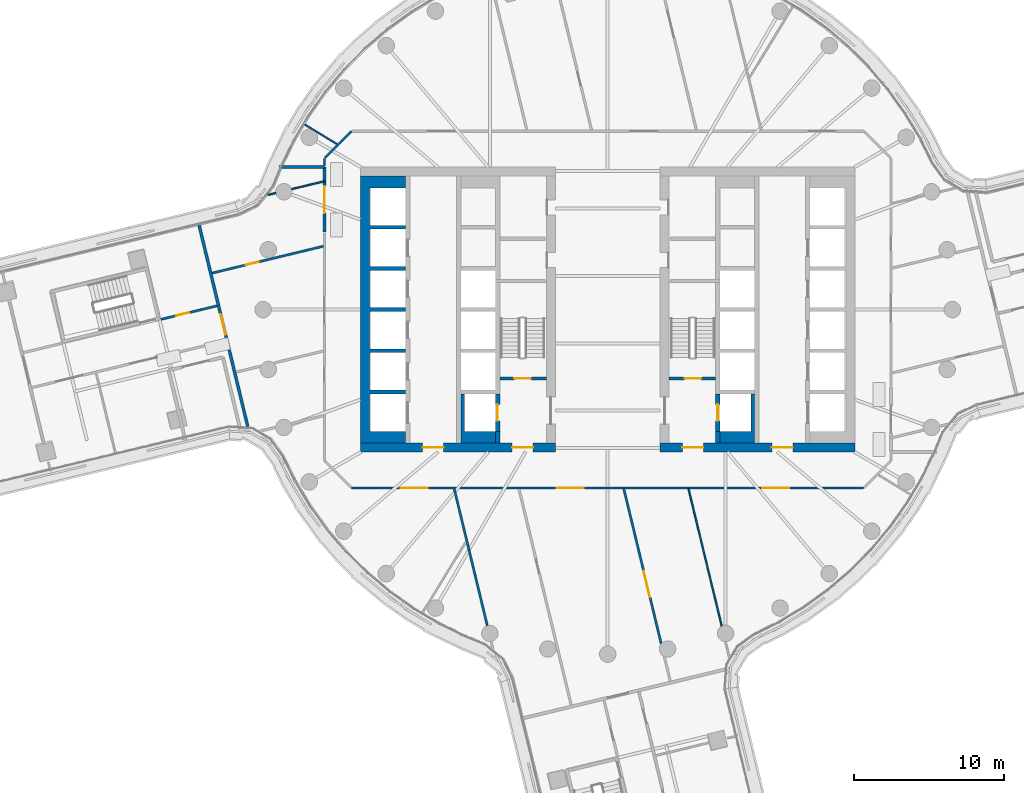
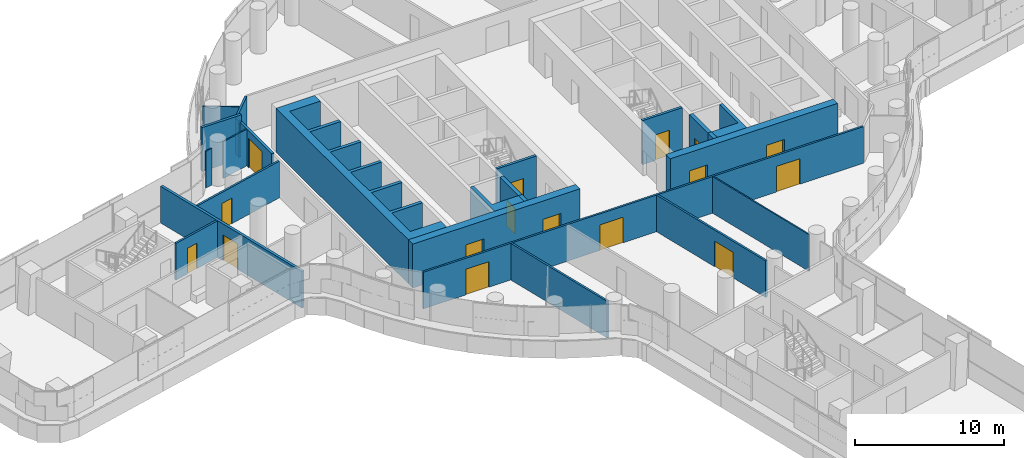
# One storey, part 20 of 33: 25 walls, 16 doors, 16 openings.
"""IFC4 building model written with IfcOpenShell, lengths in metres."""

import ifcopenshell
import ifcopenshell.guid

model = None  # the IFC model being written
_history = None  # IfcOwnerHistory: only IFC2X3 demands one
_inside = {}  # id of a spatial element -> (the spatial element, [elements in it])
_under = {}  # id of a project, library or spatial element -> (it, [spatial elements below it])
_declared = {}  # id of a project -> (the project, [libraries it declares])
_typed = {}  # id of a type object -> (the type object, [elements of that type])
_made_of = {}  # id of a material, layer set ... -> (it, [elements and type objects made of it])


def new_model(schema):
    """Start an empty IFC model of exactly this schema.

    Asked for "IFC4X3", IfcOpenShell would pick the latest addendum, in which some entities
    have other attributes; the version numbers below select the first issue.
    IFC2X3 requires an IfcOwnerHistory on every rooted entity: one is made here for all.
    """
    global model, _history
    if schema == "IFC4X3":
        model = ifcopenshell.file(schema_version=(4, 3, 0, 0))
    else:
        model = ifcopenshell.file(schema=schema)
    _inside.clear()
    _under.clear()
    _declared.clear()
    _typed.clear()
    _made_of.clear()
    _history = None
    if model.schema == "IFC2X3":
        org = make("IfcOrganization", Name="unknown")
        user = make(
            "IfcPersonAndOrganization",
            ThePerson=make("IfcPerson", FamilyName="unknown"),
            TheOrganization=org,
        )
        app = make(
            "IfcApplication",
            ApplicationDeveloper=org,
            Version="unknown",
            ApplicationFullName="unknown",
            ApplicationIdentifier="unknown",
        )
        _history = make(
            "IfcOwnerHistory",
            OwningUser=user,
            OwningApplication=app,
            ChangeAction="ADDED",
            CreationDate=0,
        )
    return model


def make(cls, **values):
    """One entity of the class cls with the attributes given. An attribute that is None is left unset."""
    return model.create_entity(
        cls, **{name: value for name, value in values.items() if value is not None}
    )


def rooted(cls, **values):
    """An entity with a GlobalId (a new one), such as an element, a storey or a relation."""
    return make(cls, GlobalId=ifcopenshell.guid.new(), OwnerHistory=_history, **values)


def si_unit(unit_type, name, prefix=None):
    """IfcSIUnit, for example si_unit("LENGTHUNIT", "METRE", prefix="MILLI")."""
    return make("IfcSIUnit", UnitType=unit_type, Prefix=prefix, Name=name)


def assignment(units):
    """IfcUnitAssignment: the units of a project."""
    return None if units is None else make("IfcUnitAssignment", Units=units)


def point(xyz):
    """IfcCartesianPoint."""
    return None if xyz is None else make("IfcCartesianPoint", Coordinates=xyz)


def direction(xyz):
    """IfcDirection."""
    return None if xyz is None else make("IfcDirection", DirectionRatios=xyz)


def frame(location, z_axis=None, x_axis=None):
    """IfcAxis2Placement3D, a coordinate frame: its origin and axes. An axis left out is left unset."""
    return make(
        "IfcAxis2Placement3D",
        Location=point(location),
        Axis=direction(z_axis),
        RefDirection=direction(x_axis),
    )


def frame_2d(location, x_axis=None):
    """IfcAxis2Placement2D, a coordinate frame in the plane: its origin and x axis."""
    return make(
        "IfcAxis2Placement2D", Location=point(location), RefDirection=direction(x_axis)
    )


def origin():
    """The frame at (0, 0, 0) with its axes left unset."""
    return frame((0.0, 0.0, 0.0))


def place(relative_to, where):
    """IfcLocalPlacement: puts the frame where relative to a parent placement (None: the world)."""
    return make(
        "IfcLocalPlacement", PlacementRelTo=relative_to, RelativePlacement=where
    )


def context(
    kind, dimensions, precision=None, world=None, true_north=None, identifier=None
):
    """IfcGeometricRepresentationContext, for example the 3D "Model" context."""
    return make(
        "IfcGeometricRepresentationContext",
        ContextIdentifier=identifier,
        ContextType=kind,
        CoordinateSpaceDimension=dimensions,
        Precision=precision,
        WorldCoordinateSystem=world,
        TrueNorth=true_north,
    )


def subcontext(parent, identifier, kind, view, scale=None):
    """IfcGeometricRepresentationSubContext, for example "Body" below "Model"."""
    return make(
        "IfcGeometricRepresentationSubContext",
        ContextIdentifier=identifier,
        ContextType=kind,
        ParentContext=parent,
        TargetScale=scale,
        TargetView=view,
    )


def project(units=None, contexts=None):
    """IfcProject with its units and contexts."""
    return rooted(
        "IfcProject",
        Name="project",
        RepresentationContexts=contexts,
        UnitsInContext=assignment(units),
    )


def spatial(cls, under=None, at=None, **own):
    """A site, building, storey or space (cls), placed at a placement, below another one or the project."""
    s = rooted(cls, ObjectPlacement=at, **own)
    if under is not None:
        _under.setdefault(under.id(), (under, []))[1].append(s)
    return s


def polyline(points):
    """IfcPolyline through the points."""
    return make("IfcPolyline", Points=[point(p) for p in points])


def profile(cls, at=None, kind="AREA", **sizes):
    """A parametric profile (cls). Its sizes go by their IFC names, for example OverallWidth=200.0."""
    return make(cls, ProfileType=kind, Position=at, **sizes)


def rectangle(**sizes):
    """IfcRectangleProfileDef."""
    return profile("IfcRectangleProfileDef", **sizes)


def outline(outer, holes=None, kind="AREA"):
    """IfcArbitraryClosedProfileDef: a profile drawn as a closed curve; with holes, ...WithVoids."""
    if holes is None:
        return make("IfcArbitraryClosedProfileDef", ProfileType=kind, OuterCurve=outer)
    return make(
        "IfcArbitraryProfileDefWithVoids",
        ProfileType=kind,
        OuterCurve=outer,
        InnerCurves=holes,
    )


def extrude(swept, where, along, depth):
    """IfcExtrudedAreaSolid: the profile swept, set in the frame where, extruded along a direction by depth."""
    return make(
        "IfcExtrudedAreaSolid",
        SweptArea=swept,
        Position=where,
        ExtrudedDirection=direction(along),
        Depth=depth,
    )


def shape(context_of_items, identifier, shape_type, items):
    """IfcShapeRepresentation: the items that make up one representation, for example the "Body"."""
    return make(
        "IfcShapeRepresentation",
        ContextOfItems=context_of_items,
        RepresentationIdentifier=identifier,
        RepresentationType=shape_type,
        Items=items,
    )


def material(Name=None, Category=None):
    """IfcMaterial."""
    return make("IfcMaterial", Name=Name, Category=Category)


def layer(
    of_material, thickness, ventilated=None, Name=None, Category=None, Priority=None
):
    """IfcMaterialLayer: one layer of a wall or slab, of a material (None: an air gap)."""
    return make(
        "IfcMaterialLayer",
        Material=of_material,
        LayerThickness=thickness,
        IsVentilated=ventilated,
        Name=Name,
        Category=Category,
        Priority=Priority,
    )


def layer_set(layers, Name=None):
    """IfcMaterialLayerSet."""
    return make("IfcMaterialLayerSet", MaterialLayers=layers, LayerSetName=Name)


def made_of(thing, what):
    """Note that an element or type object is made of a material, layer set ...; save() writes the relation."""
    if what is not None:
        _made_of.setdefault(what.id(), (what, []))[1].append(thing)
    return thing


def type_object(cls, material=None, **own):
    """A type object (cls), such as IfcWallType, which elements share."""
    return made_of(rooted(cls, **own), material)


def element(
    cls,
    number,
    at=None,
    inside=None,
    cuts=None,
    type_object=None,
    material=None,
    context=None,
    identifier="Body",
    shape_type=None,
    held_by="IfcProductDefinitionShape",
    body=None,
    shapes=None,
    **own,
):
    """One element of the class cls, such as IfcWall. Its Tag is "e" and its number.

    at: its placement. inside: the storey or other place that contains it. cuts: it is an
    opening in that element (IfcRelVoidsElement). A single representation is given by context,
    identifier, shape_type and body (its items); several are given by shapes. held_by: the class
    of the entity that holds the representations. save() writes the other relations.
    """
    e = rooted(cls, Tag="e%d" % number, ObjectPlacement=at, **own)
    if body is not None:
        shapes = [shape(context, identifier, shape_type, body)]
    if shapes is not None:
        e.Representation = make(held_by, Representations=shapes)
    if inside is not None:
        _inside.setdefault(inside.id(), (inside, []))[1].append(e)
    if cuts is not None:
        rooted(
            "IfcRelVoidsElement", RelatingBuildingElement=cuts, RelatedOpeningElement=e
        )
    if type_object is not None:
        _typed.setdefault(type_object.id(), (type_object, []))[1].append(e)
    return made_of(e, material)


def fill(opening, filler):
    """IfcRelFillsElement: the door or window that sits in an opening."""
    return rooted(
        "IfcRelFillsElement",
        RelatingOpeningElement=opening,
        RelatedBuildingElement=filler,
    )


def aggregate(whole, parts):
    """IfcRelAggregates: a whole, such as a stair, and the parts it consists of."""
    return rooted("IfcRelAggregates", RelatingObject=whole, RelatedObjects=parts)


def save(model, path):
    """Write the relations noted so far, then the file.

    IfcRelAggregates (storeys below a building ...), IfcRelContainedInSpatialStructure (elements
    in a storey), IfcRelDefinesByType, IfcRelAssociatesMaterial and IfcRelDeclares: one each for
    every whole, place, type object, material and project.
    """
    for whole, parts in _under.values():
        aggregate(whole, parts)
    for where, things in _inside.values():
        rooted(
            "IfcRelContainedInSpatialStructure",
            RelatedElements=things,
            RelatingStructure=where,
        )
    for kind, things in _typed.values():
        rooted("IfcRelDefinesByType", RelatedObjects=things, RelatingType=kind)
    for what, things in _made_of.values():
        rooted("IfcRelAssociatesMaterial", RelatedObjects=things, RelatingMaterial=what)
    for by, libraries in _declared.values():
        rooted("IfcRelDeclares", RelatingContext=by, RelatedDefinitions=libraries)
    model.write(path)


model = new_model("IFC4")

# Units and contexts
model_context = context("Model", 3, precision=1e-05, world=origin(), true_north=direction((0.0, 1.0)))
body_context = subcontext(model_context, "Body", "Model", "MODEL_VIEW")
ifc_project = project(units=[si_unit("LENGTHUNIT", "METRE"), si_unit("AREAUNIT", "SQUARE_METRE"), si_unit("VOLUMEUNIT", "CUBIC_METRE"), si_unit("PLANEANGLEUNIT", "RADIAN"), si_unit("MASSUNIT", "GRAM", prefix="KILO")], contexts=[model_context])

# Site, building, storey
site_placement = place(None, origin())
site = spatial("IfcSite", under=ifc_project, at=site_placement, CompositionType="ELEMENT")
building_placement = place(site_placement, origin())
building = spatial("IfcBuilding", under=site, at=building_placement, Name="Tamarind Cross Interchange Tower", CompositionType="ELEMENT")
storey_placement = place(building_placement, frame((0.0, 0.0, 83.5)))
storey = spatial("IfcBuildingStorey", under=building, at=storey_placement, Name="L19", CompositionType="ELEMENT", Elevation=83.5)

# Wall, opening, door
ifc_material_1 = material(Name="Concrete C40", Category="concrete")
ifc_layer_1 = layer(ifc_material_1, 0.199951171875)
ifc_layer_set_1 = layer_set([ifc_layer_1], Name="Concrete C40")
wall_type_1 = type_object("IfcWallType", Name="Balcony and garden door wall", PredefinedType="SOLIDWALL", material=ifc_layer_set_1)
wall_1_placement = place(storey_placement, frame((-18.89990234375, 9.5, 0.0), z_axis=(0.0, 0.0, 1.0), x_axis=(0.0, -1.0, 0.0)))
wall_1 = element("IfcWall", 1, at=wall_1_placement, inside=storey, type_object=wall_type_1, Name="EXW-L19-WG-L19-NW", PredefinedType="SOLIDWALL", context=body_context, shape_type="SweptSolid", body=[
    extrude(rectangle(XDim=4.333984375, YDim=0.199951171875, at=frame_2d((2.1669921875, 0.0))), origin(), (0.0, 0.0, 1.0), 3.013916015625),
])
opening_1_placement = place(wall_1_placement, frame((1.26708984375, 0.0, 0.0)))
opening_1 = element("IfcOpeningElement", 2, at=opening_1_placement, cuts=wall_1, Name="Opening D6", PredefinedType="OPENING", context=body_context, shape_type="SweptSolid", body=[
    extrude(rectangle(XDim=1.800048828125, YDim=2.39990234375, at=frame_2d((0.89990234375, 1.199951171875))), frame((0.0, 0.10986328125, 0.0), z_axis=(0.0, -1.0, 0.0), x_axis=(1.0, 0.0, 0.0)), (0.0, 0.0, 1.0), 0.219970703125),
])
ifc_material_2 = material(Name="Aluminium and toughened glass, fire-resisting", Category="aluminium")
door_type_1 = type_object("IfcDoorType", Name="Roof garden door, fire-resisting", OperationType="DOUBLE_DOOR_SINGLE_SWING", PredefinedType="DOOR", material=ifc_material_2)
door_1_placement = place(opening_1_placement, origin())
door_1 = element("IfcDoor", 3, at=door_1_placement, inside=storey, type_object=door_type_1, Name="DOR-L19-WG-L19-NW", OperationType="SINGLE_SWING_LEFT", OverallHeight=2.39990234375, OverallWidth=1.800048828125, PredefinedType="DOOR", context=body_context, shape_type="SweptSolid", body=[
    extrude(rectangle(XDim=1.800048828125, YDim=2.39990234375, at=frame_2d((0.89990234375, 1.199951171875))), frame((0.0, 0.02490234375, 0.0), z_axis=(0.0, -1.0, 0.0), x_axis=(1.0, 0.0, 0.0)), (0.0, 0.0, 1.0), 0.050048828125),
])
fill(opening_1, door_1)

# Wall
wall_2_placement = place(storey_placement, frame((-18.89990234375, 9.5, 0.0), z_axis=(0.0, 0.0, 1.0), x_axis=(-1.0, 0.0, 0.0)))
element("IfcWall", 4, at=wall_2_placement, inside=storey, type_object=wall_type_1, Name="EXW-L19-WG-L19-NW-R0", PredefinedType="SOLIDWALL", context=body_context, shape_type="SweptSolid", body=[
    extrude(rectangle(XDim=3.03466796875, YDim=0.199951171875, at=frame_2d((1.517333984375, 0.0))), origin(), (0.0, 0.0, 1.0), 3.610107421875),
])

# Wall, openings, doors
ifc_material_3 = material(Name="Concrete C70", Category="concrete")
ifc_layer_2 = layer(ifc_material_3, 0.60009765625)
ifc_layer_set_2 = layer_set([ifc_layer_2], Name="Concrete C70")
wall_type_2 = type_object("IfcWallType", Name="Core wall 600 mm Concrete C70", PredefinedType="SHEAR", material=ifc_layer_set_2)
wall_3_placement = place(storey_placement, frame((-16.5, -9.199951171875, 0.0), z_axis=(0.0, 0.0, 1.0), x_axis=(1.0, 0.0, 0.0)))
wall_3 = element("IfcWall", 5, at=wall_3_placement, inside=storey, type_object=wall_type_2, Name="Core wall CWL-L19-W-S", PredefinedType="SHEAR", context=body_context, shape_type="SweptSolid", body=[
    extrude(rectangle(XDim=13.0, YDim=0.60009765625, at=frame_2d((6.5, 0.0))), origin(), (0.0, 0.0, 1.0), 3.610107421875),
])
opening_2_placement = place(wall_3_placement, frame((4.14990234375, 0.0, 0.0)))
opening_2 = element("IfcOpeningElement", 6, at=opening_2_placement, cuts=wall_3, Name="Opening DCW1", PredefinedType="OPENING", context=body_context, shape_type="SweptSolid", body=[
    extrude(rectangle(XDim=1.39990234375, YDim=2.10009765625, at=frame_2d((0.699951171875, 1.050048828125))), frame((0.0, 0.31005859375, 0.0), z_axis=(0.0, -1.0, 0.0), x_axis=(1.0, 0.0, 0.0)), (0.0, 0.0, 1.0), 0.6201171875),
])
opening_3_placement = place(wall_3_placement, frame((10.125, 0.0, 0.0)))
opening_3 = element("IfcOpeningElement", 7, at=opening_3_placement, cuts=wall_3, Name="Opening DCWF", PredefinedType="OPENING", context=body_context, shape_type="SweptSolid", body=[
    extrude(rectangle(XDim=1.39990234375, YDim=2.10009765625, at=frame_2d((0.699951171875, 1.050048828125))), frame((0.0, 0.31005859375, 0.0), z_axis=(0.0, -1.0, 0.0), x_axis=(1.0, 0.0, 0.0)), (0.0, 0.0, 1.0), 0.6201171875),
])
ifc_material_4 = material(Name="Steel, fire-resisting", Category="steel")
door_type_2 = type_object("IfcDoorType", Name="Core fire door 1400 x 2100 FD90", OperationType="SINGLE_SWING_LEFT", PredefinedType="DOOR", material=ifc_material_4)
door_2_placement = place(opening_2_placement, origin())
door_2 = element("IfcDoor", 8, at=door_2_placement, inside=storey, type_object=door_type_2, Name="L19 lift lobby door", OperationType="SINGLE_SWING_LEFT", OverallHeight=2.10009765625, OverallWidth=1.39990234375, PredefinedType="DOOR", context=body_context, shape_type="SweptSolid", body=[
    extrude(rectangle(XDim=1.39990234375, YDim=2.10009765625, at=frame_2d((0.699951171875, 1.050048828125))), frame((0.0, 0.02490234375, 0.0), z_axis=(0.0, -1.0, 0.0), x_axis=(1.0, 0.0, 0.0)), (0.0, 0.0, 1.0), 0.050048828125),
])
fill(opening_2, door_2)
door_3_placement = place(opening_3_placement, origin())
door_3 = element("IfcDoor", 9, at=door_3_placement, inside=storey, type_object=door_type_2, Name="L19 firefighting lobby end door", OperationType="SINGLE_SWING_LEFT", OverallHeight=2.10009765625, OverallWidth=1.39990234375, PredefinedType="DOOR", context=body_context, shape_type="SweptSolid", body=[
    extrude(rectangle(XDim=1.39990234375, YDim=2.10009765625, at=frame_2d((0.699951171875, 1.050048828125))), frame((0.0, 0.02490234375, 0.0), z_axis=(0.0, -1.0, 0.0), x_axis=(1.0, 0.0, 0.0)), (0.0, 0.0, 1.0), 0.050048828125),
])
fill(opening_3, door_3)

# Wall
wall_4_placement = place(storey_placement, origin())
element("IfcWall", 10, at=wall_4_placement, inside=storey, type_object=wall_type_2, Name="Core wall CWL-L19-W-A", PredefinedType="SHEAR", context=body_context, shape_type="SweptSolid", body=[
    extrude(outline(polyline([(-13.5, -8.89990234375), (-13.5, -8.125), (-15.89990234375, -8.125), (-15.89990234375, -5.625), (-13.5, -5.625), (-13.5, -5.375), (-15.89990234375, -5.375), (-15.89990234375, -2.875), (-13.5, -2.875), (-13.5, -2.625), (-15.89990234375, -2.625), (-15.89990234375, -0.125), (-13.5, -0.125), (-13.5, 0.125), (-15.89990234375, 0.125), (-15.89990234375, 2.625), (-13.5, 2.625), (-13.5, 2.875), (-15.89990234375, 2.875), (-15.89990234375, 5.375), (-13.5, 5.375), (-13.5, 5.625), (-15.89990234375, 5.625), (-15.89990234375, 8.125), (-13.5, 8.125), (-13.5, 8.89990234375), (-15.89990234375, 8.89990234375), (-16.5, 8.89990234375), (-16.5, -8.89990234375), (-15.89990234375, -8.89990234375), (-13.5, -8.89990234375)])), origin(), (0.0, 0.0, 1.0), 3.610107421875),
])

# Wall, openings, doors
wall_5_placement = place(storey_placement, frame((16.5, -9.199951171875, 0.0), z_axis=(0.0, 0.0, 1.0), x_axis=(-1.0, 0.0, 0.0)))
wall_5 = element("IfcWall", 11, at=wall_5_placement, inside=storey, type_object=wall_type_2, Name="Core wall CWL-L19-E-S", PredefinedType="SHEAR", context=body_context, shape_type="SweptSolid", body=[
    extrude(rectangle(XDim=13.0, YDim=0.60009765625, at=frame_2d((6.5, 0.0))), origin(), (0.0, 0.0, 1.0), 3.610107421875),
])
opening_4_placement = place(wall_5_placement, frame((4.14990234375, 0.0, 0.0)))
opening_4 = element("IfcOpeningElement", 12, at=opening_4_placement, cuts=wall_5, Name="Opening DCE1", PredefinedType="OPENING", context=body_context, shape_type="SweptSolid", body=[
    extrude(rectangle(XDim=1.39990234375, YDim=2.10009765625, at=frame_2d((0.699951171875, 1.050048828125))), frame((0.0, 0.31005859375, 0.0), z_axis=(0.0, -1.0, 0.0), x_axis=(1.0, 0.0, 0.0)), (0.0, 0.0, 1.0), 0.6201171875),
])
opening_5_placement = place(wall_5_placement, frame((10.125, 0.0, 0.0)))
opening_5 = element("IfcOpeningElement", 13, at=opening_5_placement, cuts=wall_5, Name="Opening DCEF", PredefinedType="OPENING", context=body_context, shape_type="SweptSolid", body=[
    extrude(rectangle(XDim=1.39990234375, YDim=2.10009765625, at=frame_2d((0.699951171875, 1.050048828125))), frame((0.0, 0.31005859375, 0.0), z_axis=(0.0, -1.0, 0.0), x_axis=(1.0, 0.0, 0.0)), (0.0, 0.0, 1.0), 0.6201171875),
])
door_4_placement = place(opening_4_placement, origin())
door_4 = element("IfcDoor", 14, at=door_4_placement, inside=storey, type_object=door_type_2, Name="L19 lift lobby door", OperationType="SINGLE_SWING_LEFT", OverallHeight=2.10009765625, OverallWidth=1.39990234375, PredefinedType="DOOR", context=body_context, shape_type="SweptSolid", body=[
    extrude(rectangle(XDim=1.39990234375, YDim=2.10009765625, at=frame_2d((0.699951171875, 1.050048828125))), frame((0.0, 0.02490234375, 0.0), z_axis=(0.0, -1.0, 0.0), x_axis=(1.0, 0.0, 0.0)), (0.0, 0.0, 1.0), 0.050048828125),
])
fill(opening_4, door_4)
door_5_placement = place(opening_5_placement, origin())
door_5 = element("IfcDoor", 15, at=door_5_placement, inside=storey, type_object=door_type_2, Name="L19 firefighting lobby end door", OperationType="SINGLE_SWING_LEFT", OverallHeight=2.10009765625, OverallWidth=1.39990234375, PredefinedType="DOOR", context=body_context, shape_type="SweptSolid", body=[
    extrude(rectangle(XDim=1.39990234375, YDim=2.10009765625, at=frame_2d((0.699951171875, 1.050048828125))), frame((0.0, 0.02490234375, 0.0), z_axis=(0.0, -1.0, 0.0), x_axis=(1.0, 0.0, 0.0)), (0.0, 0.0, 1.0), 0.050048828125),
])
fill(opening_5, door_5)

# Walls
ifc_layer_3 = layer(ifc_material_3, 0.300048828125)
ifc_layer_set_3 = layer_set([ifc_layer_3], Name="Concrete C70")
wall_type_3 = type_object("IfcWallType", Name="Core web wall 300 mm Concrete C70", PredefinedType="SHEAR", material=ifc_layer_set_3)
wall_6_placement = place(storey_placement, origin())
element("IfcWall", 16, at=wall_6_placement, inside=storey, type_object=wall_type_3, Name="Core wall CWL-L19-W-BS", PredefinedType="SHEAR", context=body_context, shape_type="SweptSolid", body=[
    extrude(outline(polyline([(-7.5, -8.125), (-9.550048828125, -8.125), (-9.550048828125, -5.625), (-9.800048828125, -5.625), (-9.800048828125, -8.125), (-9.800048828125, -8.89990234375), (-7.5, -8.89990234375), (-7.5, -8.125)])), origin(), (0.0, 0.0, 1.0), 3.610107421875),
])
wall_7_placement = place(storey_placement, frame((-7.35009765625, -8.89990234375, 0.0), z_axis=(0.0, 0.0, 1.0), x_axis=(0.0, 1.0, 0.0)))
element("IfcWall", 17, at=wall_7_placement, inside=storey, type_object=wall_type_3, Name="Core wall CWL-L19-W-BW", PredefinedType="SHEAR", context=body_context, shape_type="SweptSolid", body=[
    extrude(rectangle(XDim=0.77490234375, YDim=0.300048828125, at=frame_2d((0.387451171875, 0.0))), origin(), (0.0, 0.0, 1.0), 3.610107421875),
])

# Wall, opening, door
wall_8_placement = place(storey_placement, frame((-7.35009765625, -8.125, 0.0), z_axis=(0.0, 0.0, 1.0), x_axis=(0.0, 1.0, 0.0)))
wall_8 = element("IfcWall", 18, at=wall_8_placement, inside=storey, type_object=wall_type_3, Name="Core wall CWL-L19-W-FF", PredefinedType="SHEAR", context=body_context, shape_type="SweptSolid", body=[
    extrude(rectangle(XDim=2.5, YDim=0.300048828125, at=frame_2d((1.25, 0.0))), origin(), (0.0, 0.0, 1.0), 3.610107421875),
])
opening_6_placement = place(wall_8_placement, frame((0.699951171875, 0.0, 0.0)))
opening_6 = element("IfcOpeningElement", 19, at=opening_6_placement, cuts=wall_8, Name="Opening LD7L19", PredefinedType="OPENING", context=body_context, shape_type="SweptSolid", body=[
    extrude(rectangle(XDim=1.10009765625, YDim=2.10009765625, at=frame_2d((0.550048828125, 1.050048828125))), frame((0.0, 0.159912109375, 0.0), z_axis=(0.0, -1.0, 0.0), x_axis=(1.0, 0.0, 0.0)), (0.0, 0.0, 1.0), 0.320068359375),
])
ifc_material_5 = material(Name="Stainless steel panel", Category="steel")
door_type_3 = type_object("IfcDoorType", Name="Lift landing door 1100 x 2100 E 120", OperationType="SLIDING_TO_LEFT", PredefinedType="DOOR", material=ifc_material_5)
door_6_placement = place(opening_6_placement, origin())
door_6 = element("IfcDoor", 20, at=door_6_placement, inside=storey, type_object=door_type_3, Name="L19 landing door LF7", OperationType="SLIDING_TO_LEFT", OverallHeight=2.10009765625, OverallWidth=1.10009765625, PredefinedType="DOOR", context=body_context, shape_type="SweptSolid", body=[
    extrude(rectangle(XDim=1.10009765625, YDim=2.10009765625, at=frame_2d((0.550048828125, 1.050048828125))), frame((0.0, 0.02490234375, 0.0), z_axis=(0.0, -1.0, 0.0), x_axis=(1.0, 0.0, 0.0)), (0.0, 0.0, 1.0), 0.050048828125),
])
fill(opening_6, door_6)

# Walls
wall_9_placement = place(storey_placement, origin())
element("IfcWall", 21, at=wall_9_placement, inside=storey, type_object=wall_type_3, Name="Core wall CWL-L19-E-BS", PredefinedType="SHEAR", context=body_context, shape_type="SweptSolid", body=[
    extrude(outline(polyline([(7.5, -8.125), (7.5, -8.89990234375), (9.800048828125, -8.89990234375), (9.800048828125, -8.125), (9.800048828125, -5.625), (9.550048828125, -5.625), (9.550048828125, -8.125), (7.5, -8.125)])), origin(), (0.0, 0.0, 1.0), 3.610107421875),
])
wall_10_placement = place(storey_placement, frame((7.35009765625, -8.89990234375, 0.0), z_axis=(0.0, 0.0, 1.0), x_axis=(0.0, 1.0, 0.0)))
element("IfcWall", 22, at=wall_10_placement, inside=storey, type_object=wall_type_3, Name="Core wall CWL-L19-E-BW", PredefinedType="SHEAR", context=body_context, shape_type="SweptSolid", body=[
    extrude(rectangle(XDim=0.77490234375, YDim=0.300048828125, at=frame_2d((0.387451171875, 0.0))), origin(), (0.0, 0.0, 1.0), 3.610107421875),
])

# Wall, opening, door
wall_11_placement = place(storey_placement, frame((7.35009765625, -8.125, 0.0), z_axis=(0.0, 0.0, 1.0), x_axis=(0.0, 1.0, 0.0)))
wall_11 = element("IfcWall", 23, at=wall_11_placement, inside=storey, type_object=wall_type_3, Name="Core wall CWL-L19-E-FF", PredefinedType="SHEAR", context=body_context, shape_type="SweptSolid", body=[
    extrude(rectangle(XDim=2.5, YDim=0.300048828125, at=frame_2d((1.25, 0.0))), origin(), (0.0, 0.0, 1.0), 3.610107421875),
])
opening_7_placement = place(wall_11_placement, frame((0.699951171875, 0.0, 0.0)))
opening_7 = element("IfcOpeningElement", 24, at=opening_7_placement, cuts=wall_11, Name="Opening LD19L19", PredefinedType="OPENING", context=body_context, shape_type="SweptSolid", body=[
    extrude(rectangle(XDim=1.10009765625, YDim=2.10009765625, at=frame_2d((0.550048828125, 1.050048828125))), frame((0.0, 0.159912109375, 0.0), z_axis=(0.0, -1.0, 0.0), x_axis=(1.0, 0.0, 0.0)), (0.0, 0.0, 1.0), 0.320068359375),
])
door_7_placement = place(opening_7_placement, origin())
door_7 = element("IfcDoor", 25, at=door_7_placement, inside=storey, type_object=door_type_3, Name="L19 landing door LF19", OperationType="SLIDING_TO_LEFT", OverallHeight=2.10009765625, OverallWidth=1.10009765625, PredefinedType="DOOR", context=body_context, shape_type="SweptSolid", body=[
    extrude(rectangle(XDim=1.10009765625, YDim=2.10009765625, at=frame_2d((0.550048828125, 1.050048828125))), frame((0.0, 0.02490234375, 0.0), z_axis=(0.0, -1.0, 0.0), x_axis=(1.0, 0.0, 0.0)), (0.0, 0.0, 1.0), 0.050048828125),
])
fill(opening_7, door_7)

# Walls
ifc_material_6 = material(Name="Gypsum board partition on steel studs", Category="steel")
ifc_layer_4 = layer(ifc_material_6, 0.10009765625)
ifc_layer_set_4 = layer_set([ifc_layer_4], Name="Gypsum board partition on steel studs")
wall_type_4 = type_object("IfcWallType", Name="Partition 100 mm EI 120", PredefinedType="PARTITIONING", material=ifc_layer_set_4)
wall_12_placement = place(storey_placement, frame((-21.098388671875, 8.03662109375, 0.0), z_axis=(0.0, 0.0, 1.0), x_axis=(0.971998948833, 0.234985198402, 0.0)))
element("IfcWall", 26, at=wall_12_placement, inside=storey, type_object=wall_type_4, Name="Partition L19-052", PredefinedType="PARTITIONING", context=body_context, shape_type="SweptSolid", body=[
    extrude(rectangle(XDim=2.26171875, YDim=0.10009765625, at=frame_2d((1.130859375, 0.0))), origin(), (0.0, 0.0, 1.0), 3.010009765625),
])
ifc_layer_5 = layer(ifc_material_6, 0.10009765625)
ifc_layer_set_5 = layer_set([ifc_layer_5], Name="Gypsum board partition on steel studs")
wall_type_5 = type_object("IfcWallType", Name="Partition 100 mm EI 90", PredefinedType="PARTITIONING", material=ifc_layer_set_5)
wall_13_placement = place(storey_placement, frame((5.394287109375, -11.968017578125, 0.0), z_axis=(0.0, 0.0, 1.0), x_axis=(0.234909972776, -0.972017131891, 0.0)))
element("IfcWall", 27, at=wall_13_placement, inside=storey, type_object=wall_type_5, Name="Partition L19-024", PredefinedType="PARTITIONING", context=body_context, shape_type="SweptSolid", body=[
    extrude(rectangle(XDim=9.41796875, YDim=0.10009765625, at=frame_2d((4.708984375, 0.0))), origin(), (0.0, 0.0, 1.0), 3.010009765625),
])
wall_14_placement = place(storey_placement, frame((-20.205810546875, 12.34228515625, 0.0), z_axis=(0.0, 0.0, 1.0), x_axis=(0.853436524, -0.521196795369, 0.0)))
element("IfcWall", 28, at=wall_14_placement, inside=storey, type_object=wall_type_5, Name="Partition L19-039", PredefinedType="PARTITIONING", context=body_context, shape_type="SweptSolid", body=[
    extrude(rectangle(XDim=2.496337890625, YDim=0.10009765625, at=frame_2d((1.248046875, 0.0))), origin(), (0.0, 0.0, 1.0), 3.010009765625),
])
wall_15_placement = place(storey_placement, frame((-22.677001953125, 7.6552734375, 0.0), z_axis=(0.0, 0.0, 1.0), x_axis=(0.972046753294, 0.234787370638, 0.0)))
element("IfcWall", 29, at=wall_15_placement, inside=storey, type_object=wall_type_5, Name="Partition L19-051", PredefinedType="PARTITIONING", context=body_context, shape_type="SweptSolid", body=[
    extrude(rectangle(XDim=0.541748046875, YDim=0.10009765625, at=frame_2d((0.27099609375, 0.0))), origin(), (0.0, 0.0, 1.0), 3.010009765625),
])
ifc_layer_6 = layer(ifc_material_6, 0.14990234375)
ifc_layer_set_6 = layer_set([ifc_layer_6], Name="Gypsum board partition on steel studs")
wall_type_6 = type_object("IfcWallType", Name="Partition 150 mm EI 120", PredefinedType="PARTITIONING", material=ifc_layer_set_6)
wall_16_placement = place(storey_placement, frame((-10.241455078125, -11.972900390625, 0.0), z_axis=(0.0, 0.0, 1.0), x_axis=(0.234983700505, -0.971999310955, 0.0)))
element("IfcWall", 30, at=wall_16_placement, inside=storey, type_object=wall_type_6, Name="Partition L19-006", PredefinedType="PARTITIONING", context=body_context, shape_type="SweptSolid", body=[
    extrude(rectangle(XDim=9.38818359375, YDim=0.14990234375, at=frame_2d((4.694091796875, 0.0))), origin(), (0.0, 0.0, 1.0), 3.010009765625),
])

# Wall, opening, door
wall_17_placement = place(storey_placement, frame((1.07568359375, -11.972900390625, 0.0), z_axis=(0.0, 0.0, 1.0), x_axis=(0.234796162134, -0.972044629761, 0.0)))
wall_17 = element("IfcWall", 31, at=wall_17_placement, inside=storey, type_object=wall_type_6, Name="Partition L19-019", PredefinedType="PARTITIONING", context=body_context, shape_type="SweptSolid", body=[
    extrude(rectangle(XDim=10.6318359375, YDim=0.14990234375, at=frame_2d((5.31591796875, 0.0))), origin(), (0.0, 0.0, 1.0), 3.010009765625),
])
opening_8_placement = place(wall_17_placement, frame((5.625, 0.0, 0.0)))
opening_8 = element("IfcOpeningElement", 32, at=opening_8_placement, cuts=wall_17, Name="Opening D11", PredefinedType="OPENING", context=body_context, shape_type="SweptSolid", body=[
    extrude(rectangle(XDim=1.800048828125, YDim=2.10009765625, at=frame_2d((0.89990234375, 1.050048828125))), frame((0.0, 0.0849609375, 0.0), z_axis=(0.0, -1.0, 0.0), x_axis=(1.0, 0.0, 0.0)), (0.0, 0.0, 1.0), 0.169921875),
])
ifc_material_7 = material(Name="Fire-resisting door set")
door_type_4 = type_object("IfcDoorType", Name="Interior door 1800 x 2100 FD60S", OperationType="DOUBLE_DOOR_SINGLE_SWING", PredefinedType="DOOR", material=ifc_material_7)
door_8_placement = place(opening_8_placement, origin())
door_8 = element("IfcDoor", 33, at=door_8_placement, inside=storey, type_object=door_type_4, Name="Door D11", OperationType="DOUBLE_DOOR_SINGLE_SWING", OverallHeight=2.10009765625, OverallWidth=1.800048828125, PredefinedType="DOOR", context=body_context, shape_type="SweptSolid", body=[
    extrude(rectangle(XDim=1.800048828125, YDim=2.10009765625, at=frame_2d((0.89990234375, 1.050048828125))), frame((0.0, 0.02490234375, 0.0), z_axis=(0.0, -1.0, 0.0), x_axis=(1.0, 0.0, 0.0)), (0.0, 0.0, 1.0), 0.050048828125),
])
fill(opening_8, door_8)

# Wall, openings, doors
wall_18_placement = place(storey_placement, frame((-17.10009765625, -11.89990234375, 0.0), z_axis=(0.0, 0.0, 1.0), x_axis=(1.0, 0.0, 0.0)))
wall_18 = element("IfcWall", 34, at=wall_18_placement, inside=storey, type_object=wall_type_6, Name="Partition L19-041", PredefinedType="PARTITIONING", context=body_context, shape_type="SweptSolid", body=[
    extrude(rectangle(XDim=34.1650390625, YDim=0.14990234375, at=frame_2d((17.08251953125, 0.0))), origin(), (0.0, 0.0, 1.0), 3.010009765625),
])
opening_9_placement = place(wall_18_placement, frame((13.7119140625, 0.0, 0.0)))
opening_9 = element("IfcOpeningElement", 35, at=opening_9_placement, cuts=wall_18, Name="Opening D18", PredefinedType="OPENING", context=body_context, shape_type="SweptSolid", body=[
    extrude(rectangle(XDim=1.800048828125, YDim=2.10009765625, at=frame_2d((0.89990234375, 1.050048828125))), frame((0.0, 0.0849609375, 0.0), z_axis=(0.0, -1.0, 0.0), x_axis=(1.0, 0.0, 0.0)), (0.0, 0.0, 1.0), 0.169921875),
])
opening_10_placement = place(wall_18_placement, frame((3.300048828125, 0.0, 0.0)))
opening_10 = element("IfcOpeningElement", 36, at=opening_10_placement, cuts=wall_18, Name="Opening D19", PredefinedType="OPENING", context=body_context, shape_type="SweptSolid", body=[
    extrude(rectangle(XDim=1.800048828125, YDim=2.10009765625, at=frame_2d((0.89990234375, 1.050048828125))), frame((0.0, 0.0849609375, 0.0), z_axis=(0.0, -1.0, 0.0), x_axis=(1.0, 0.0, 0.0)), (0.0, 0.0, 1.0), 0.169921875),
])
opening_11_placement = place(wall_18_placement, frame((27.427978515625, 0.0, 0.0)))
opening_11 = element("IfcOpeningElement", 37, at=opening_11_placement, cuts=wall_18, Name="Opening D20", PredefinedType="OPENING", context=body_context, shape_type="SweptSolid", body=[
    extrude(rectangle(XDim=1.800048828125, YDim=2.10009765625, at=frame_2d((0.89990234375, 1.050048828125))), frame((0.0, 0.0849609375, 0.0), z_axis=(0.0, -1.0, 0.0), x_axis=(1.0, 0.0, 0.0)), (0.0, 0.0, 1.0), 0.169921875),
])
door_9_placement = place(opening_9_placement, origin())
door_9 = element("IfcDoor", 38, at=door_9_placement, inside=storey, type_object=door_type_4, Name="Door D18", OperationType="DOUBLE_DOOR_SINGLE_SWING", OverallHeight=2.10009765625, OverallWidth=1.800048828125, PredefinedType="DOOR", context=body_context, shape_type="SweptSolid", body=[
    extrude(rectangle(XDim=1.800048828125, YDim=2.10009765625, at=frame_2d((0.89990234375, 1.050048828125))), frame((0.0, 0.02490234375, 0.0), z_axis=(0.0, -1.0, 0.0), x_axis=(1.0, 0.0, 0.0)), (0.0, 0.0, 1.0), 0.050048828125),
])
fill(opening_9, door_9)
door_10_placement = place(opening_10_placement, frame((1.800048828125, 0.0, 0.0), z_axis=(0.0, 0.0, 1.0), x_axis=(-1.0, 0.0, 0.0)))
door_10 = element("IfcDoor", 39, at=door_10_placement, inside=storey, type_object=door_type_4, Name="Door D19", OperationType="DOUBLE_DOOR_SINGLE_SWING", OverallHeight=2.10009765625, OverallWidth=1.800048828125, PredefinedType="DOOR", context=body_context, shape_type="SweptSolid", body=[
    extrude(rectangle(XDim=1.800048828125, YDim=2.10009765625, at=frame_2d((0.89990234375, 1.050048828125))), frame((0.0, 0.02490234375, 0.0), z_axis=(0.0, -1.0, 0.0), x_axis=(1.0, 0.0, 0.0)), (0.0, 0.0, 1.0), 0.050048828125),
])
fill(opening_10, door_10)
door_11_placement = place(opening_11_placement, frame((1.800048828125, 0.0, 0.0), z_axis=(0.0, 0.0, 1.0), x_axis=(-1.0, 0.0, 0.0)))
door_11 = element("IfcDoor", 40, at=door_11_placement, inside=storey, type_object=door_type_4, Name="Door D20", OperationType="DOUBLE_DOOR_SINGLE_SWING", OverallHeight=2.10009765625, OverallWidth=1.800048828125, PredefinedType="DOOR", context=body_context, shape_type="SweptSolid", body=[
    extrude(rectangle(XDim=1.800048828125, YDim=2.10009765625, at=frame_2d((0.89990234375, 1.050048828125))), frame((0.0, 0.02490234375, 0.0), z_axis=(0.0, -1.0, 0.0), x_axis=(1.0, 0.0, 0.0)), (0.0, 0.0, 1.0), 0.050048828125),
])
fill(opening_11, door_11)

# Wall, opening, door
wall_19_placement = place(storey_placement, frame((-29.8251953125, -0.656005859375, 0.0), z_axis=(0.0, 0.0, 1.0), x_axis=(0.972031941316, 0.234848685457, 0.0)))
wall_19 = element("IfcWall", 41, at=wall_19_placement, inside=storey, type_object=wall_type_6, Name="Partition L19-044", PredefinedType="PARTITIONING", context=body_context, shape_type="SweptSolid", body=[
    extrude(rectangle(XDim=3.85986328125, YDim=0.14990234375, at=frame_2d((1.929931640625, 0.0))), origin(), (0.0, 0.0, 1.0), 3.010009765625),
])
opening_12_placement = place(wall_19_placement, frame((1.050048828125, 0.0, 0.0)))
opening_12 = element("IfcOpeningElement", 42, at=opening_12_placement, cuts=wall_19, Name="Opening D24", PredefinedType="OPENING", context=body_context, shape_type="SweptSolid", body=[
    extrude(rectangle(XDim=0.89990234375, YDim=2.10009765625, at=frame_2d((0.449951171875, 1.050048828125))), frame((0.0, 0.0849609375, 0.0), z_axis=(0.0, -1.0, 0.0), x_axis=(1.0, 0.0, 0.0)), (0.0, 0.0, 1.0), 0.169921875),
])
door_type_5 = type_object("IfcDoorType", Name="Interior door 900 x 2100 FD60S", OperationType="SINGLE_SWING_LEFT", PredefinedType="DOOR", material=ifc_material_7)
door_12_placement = place(opening_12_placement, origin())
door_12 = element("IfcDoor", 43, at=door_12_placement, inside=storey, type_object=door_type_5, Name="Door D24", OperationType="SINGLE_SWING_RIGHT", OverallHeight=2.10009765625, OverallWidth=0.89990234375, PredefinedType="DOOR", context=body_context, shape_type="SweptSolid", body=[
    extrude(rectangle(XDim=0.89990234375, YDim=2.10009765625, at=frame_2d((0.449951171875, 1.050048828125))), frame((0.0, 0.02490234375, 0.0), z_axis=(0.0, -1.0, 0.0), x_axis=(1.0, 0.0, 0.0)), (0.0, 0.0, 1.0), 0.050048828125),
])
fill(opening_12, door_12)

wall_20_placement = place(storey_placement, frame((-26.394775390625, 2.4365234375, 0.0), z_axis=(0.0, 0.0, 1.0), x_axis=(0.97203792935, 0.234823899775, 0.0)))
wall_20 = element("IfcWall", 44, at=wall_20_placement, inside=storey, type_object=wall_type_6, Name="Partition L19-046", PredefinedType="PARTITIONING", context=body_context, shape_type="SweptSolid", body=[
    extrude(rectangle(XDim=7.63525390625, YDim=0.14990234375, at=frame_2d((3.817626953125, 0.0))), origin(), (0.0, 0.0, 1.0), 3.010009765625),
])
opening_13_placement = place(wall_20_placement, frame((2.300048828125, 0.0, 0.0)))
opening_13 = element("IfcOpeningElement", 45, at=opening_13_placement, cuts=wall_20, Name="Opening D27", PredefinedType="OPENING", context=body_context, shape_type="SweptSolid", body=[
    extrude(rectangle(XDim=0.89990234375, YDim=2.10009765625, at=frame_2d((0.449951171875, 1.050048828125))), frame((0.0, 0.0849609375, 0.0), z_axis=(0.0, -1.0, 0.0), x_axis=(1.0, 0.0, 0.0)), (0.0, 0.0, 1.0), 0.169921875),
])
door_13_placement = place(opening_13_placement, origin())
door_13 = element("IfcDoor", 46, at=door_13_placement, inside=storey, type_object=door_type_5, Name="Door D27", OperationType="SINGLE_SWING_RIGHT", OverallHeight=2.10009765625, OverallWidth=0.89990234375, PredefinedType="DOOR", context=body_context, shape_type="SweptSolid", body=[
    extrude(rectangle(XDim=0.89990234375, YDim=2.10009765625, at=frame_2d((0.449951171875, 1.050048828125))), frame((0.0, 0.02490234375, 0.0), z_axis=(0.0, -1.0, 0.0), x_axis=(1.0, 0.0, 0.0)), (0.0, 0.0, 1.0), 0.050048828125),
])
fill(opening_13, door_13)

# Walls
wall_21_placement = place(storey_placement, frame((-18.87158203125, 10.12841796875, 0.0), z_axis=(0.0, 0.0, 1.0), x_axis=(0.707106781187, 0.707106781187, 0.0)))
element("IfcWall", 47, at=wall_21_placement, inside=storey, type_object=wall_type_6, Name="Partition L19-079", PredefinedType="PARTITIONING", context=body_context, shape_type="SweptSolid", body=[
    extrude(rectangle(XDim=2.50537109375, YDim=0.14990234375, at=frame_2d((1.252685546875, 0.0))), origin(), (0.0, 0.0, 1.0), 3.010009765625),
])
wall_22_placement = place(storey_placement, frame((-18.89990234375, 9.60009765625, 0.0), z_axis=(0.0, 0.0, 1.0), x_axis=(0.0, 1.0, 0.0)))
element("IfcWall", 48, at=wall_22_placement, inside=storey, type_object=wall_type_6, Name="Partition L19-084", PredefinedType="PARTITIONING", context=body_context, shape_type="SweptSolid", body=[
    extrude(rectangle(XDim=0.5, YDim=0.14990234375, at=frame_2d((0.25, 0.0))), origin(), (0.0, 0.0, 1.0), 3.010009765625),
])

# Wall, opening, door
ifc_layer_7 = layer(ifc_material_6, 0.199951171875)
ifc_layer_set_7 = layer_set([ifc_layer_7], Name="Gypsum board partition on steel studs")
wall_type_7 = type_object("IfcWallType", Name="Partition 200 mm EI 180", PredefinedType="PARTITIONING", material=ifc_layer_set_7)
wall_23_placement = place(storey_placement, frame((-27.266845703125, 5.619384765625, 0.0), z_axis=(0.0, 0.0, 1.0), x_axis=(0.234742525012, -0.972057584174, 0.0)))
wall_23 = element("IfcWall", 49, at=wall_23_placement, inside=storey, type_object=wall_type_7, Name="Partition L19-005", PredefinedType="PARTITIONING", context=body_context, shape_type="SweptSolid", body=[
    extrude(rectangle(XDim=13.805419921875, YDim=0.199951171875, at=frame_2d((6.90283203125, 0.0))), origin(), (0.0, 0.0, 1.0), 3.010009765625),
])
opening_14_placement = place(wall_23_placement, frame((6.098876953125, 0.0, 0.0)))
opening_14 = element("IfcOpeningElement", 50, at=opening_14_placement, cuts=wall_23, Name="Opening D02", PredefinedType="OPENING", context=body_context, shape_type="SweptSolid", body=[
    extrude(rectangle(XDim=1.39990234375, YDim=2.10009765625, at=frame_2d((0.699951171875, 1.050048828125))), frame((0.0, 0.10986328125, 0.0), z_axis=(0.0, -1.0, 0.0), x_axis=(1.0, 0.0, 0.0)), (0.0, 0.0, 1.0), 0.219970703125),
])
door_type_6 = type_object("IfcDoorType", Name="Interior door 1400 x 2100 FD120S", OperationType="DOUBLE_DOOR_SINGLE_SWING", PredefinedType="DOOR", material=ifc_material_7)
door_14_placement = place(opening_14_placement, origin())
door_14 = element("IfcDoor", 51, at=door_14_placement, inside=storey, type_object=door_type_6, Name="Door D02", OperationType="DOUBLE_DOOR_SINGLE_SWING", OverallHeight=2.10009765625, OverallWidth=1.39990234375, PredefinedType="DOOR", context=body_context, shape_type="SweptSolid", body=[
    extrude(rectangle(XDim=1.39990234375, YDim=2.10009765625, at=frame_2d((0.699951171875, 1.050048828125))), frame((0.0, 0.02490234375, 0.0), z_axis=(0.0, -1.0, 0.0), x_axis=(1.0, 0.0, 0.0)), (0.0, 0.0, 1.0), 0.050048828125),
])
fill(opening_14, door_14)

ifc_layer_8 = layer(ifc_material_1, 0.199951171875)
ifc_layer_set_8 = layer_set([ifc_layer_8], Name="Concrete C40")
wall_type_8 = type_object("IfcWallType", Name="Stair shaft wall 200 mm Concrete C40", PredefinedType="SHEAR", material=ifc_layer_set_8)
wall_24_placement = place(storey_placement, frame((-7.199951171875, -4.60009765625, 0.0), z_axis=(0.0, 0.0, 1.0), x_axis=(1.0, 0.0, 0.0)))
wall_24 = element("IfcWall", 52, at=wall_24_placement, inside=storey, type_object=wall_type_8, Name="Core wall CWL-L19-W-SD", PredefinedType="SHEAR", context=body_context, shape_type="SweptSolid", body=[
    extrude(rectangle(XDim=3.099853515625, YDim=0.199951171875, at=frame_2d((1.5498046875, 0.0))), origin(), (0.0, 0.0, 1.0), 3.610107421875),
])
opening_15_placement = place(wall_24_placement, frame((0.97509765625, 0.0, 0.0)))
opening_15 = element("IfcOpeningElement", 53, at=opening_15_placement, cuts=wall_24, Name="Opening DCW6", PredefinedType="OPENING", context=body_context, shape_type="SweptSolid", body=[
    extrude(rectangle(XDim=1.10009765625, YDim=2.10009765625, at=frame_2d((0.550048828125, 1.050048828125))), frame((0.0, 0.10986328125, 0.0), z_axis=(0.0, -1.0, 0.0), x_axis=(1.0, 0.0, 0.0)), (0.0, 0.0, 1.0), 0.219970703125),
])
door_type_7 = type_object("IfcDoorType", Name="Core fire door 1100 x 2100 FD90", OperationType="SINGLE_SWING_LEFT", PredefinedType="DOOR", material=ifc_material_4)
door_15_placement = place(opening_15_placement, origin())
door_15 = element("IfcDoor", 54, at=door_15_placement, inside=storey, type_object=door_type_7, Name="L19 stair door", OperationType="SINGLE_SWING_LEFT", OverallHeight=2.10009765625, OverallWidth=1.10009765625, PredefinedType="DOOR", context=body_context, shape_type="SweptSolid", body=[
    extrude(rectangle(XDim=1.10009765625, YDim=2.10009765625, at=frame_2d((0.550048828125, 1.050048828125))), frame((0.0, 0.02490234375, 0.0), z_axis=(0.0, -1.0, 0.0), x_axis=(1.0, 0.0, 0.0)), (0.0, 0.0, 1.0), 0.050048828125),
])
fill(opening_15, door_15)

wall_25_placement = place(storey_placement, frame((7.199951171875, -4.60009765625, 0.0), z_axis=(0.0, 0.0, 1.0), x_axis=(-1.0, 0.0, 0.0)))
wall_25 = element("IfcWall", 55, at=wall_25_placement, inside=storey, type_object=wall_type_8, Name="Core wall CWL-L19-E-SD", PredefinedType="SHEAR", context=body_context, shape_type="SweptSolid", body=[
    extrude(rectangle(XDim=3.099853515625, YDim=0.199951171875, at=frame_2d((1.5498046875, 0.0))), origin(), (0.0, 0.0, 1.0), 3.610107421875),
])
opening_16_placement = place(wall_25_placement, frame((0.97509765625, 0.0, 0.0)))
opening_16 = element("IfcOpeningElement", 56, at=opening_16_placement, cuts=wall_25, Name="Opening DCE6", PredefinedType="OPENING", context=body_context, shape_type="SweptSolid", body=[
    extrude(rectangle(XDim=1.10009765625, YDim=2.10009765625, at=frame_2d((0.550048828125, 1.050048828125))), frame((0.0, 0.10986328125, 0.0), z_axis=(0.0, -1.0, 0.0), x_axis=(1.0, 0.0, 0.0)), (0.0, 0.0, 1.0), 0.219970703125),
])
door_16_placement = place(opening_16_placement, origin())
door_16 = element("IfcDoor", 57, at=door_16_placement, inside=storey, type_object=door_type_7, Name="L19 stair door", OperationType="SINGLE_SWING_LEFT", OverallHeight=2.10009765625, OverallWidth=1.10009765625, PredefinedType="DOOR", context=body_context, shape_type="SweptSolid", body=[
    extrude(rectangle(XDim=1.10009765625, YDim=2.10009765625, at=frame_2d((0.550048828125, 1.050048828125))), frame((0.0, 0.02490234375, 0.0), z_axis=(0.0, -1.0, 0.0), x_axis=(1.0, 0.0, 0.0)), (0.0, 0.0, 1.0), 0.050048828125),
])
fill(opening_16, door_16)

save(model, "model.ifc")
